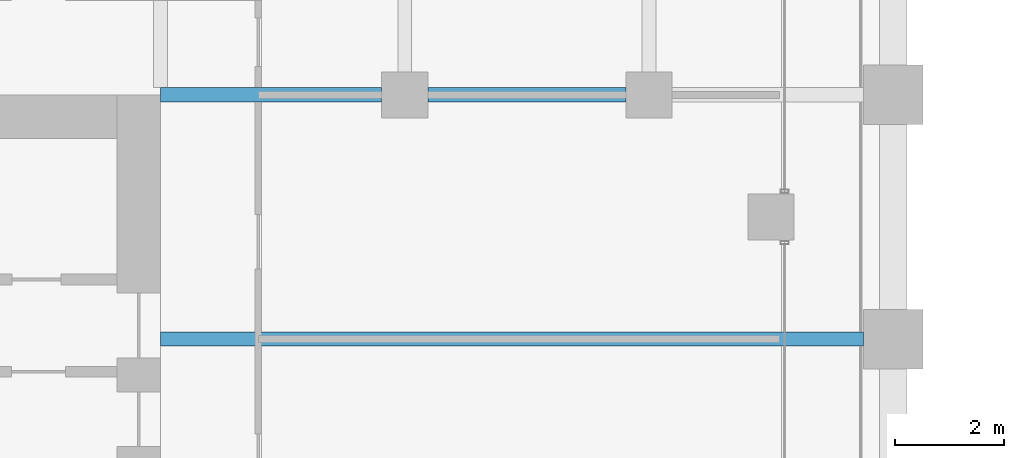
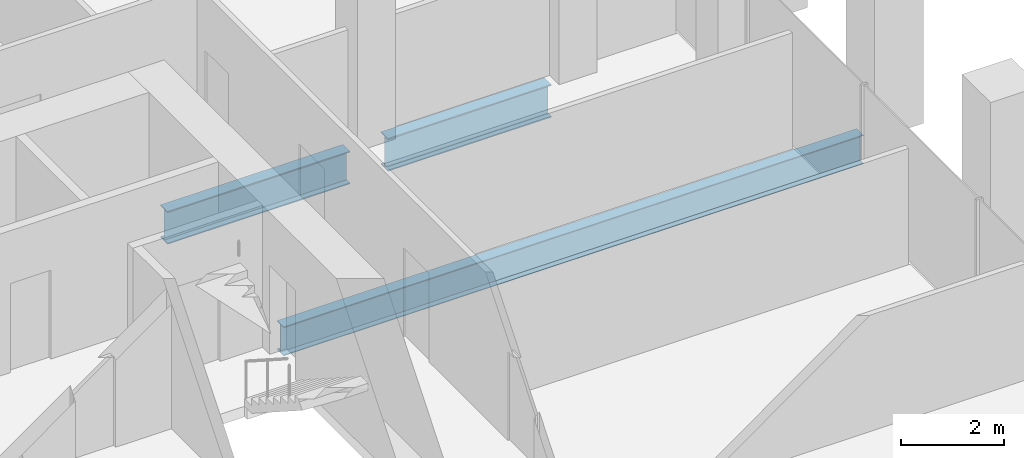
# One storey, part 21 of 56: 3 beams.
"""IFC4 building model written with IfcOpenShell, lengths in metres."""

from ifc_helpers import new_model, si_unit, direction, frame, origin, origin_2d, place, context, subcontext, project, spatial, i_section, extrude, material, material_profile, profile_set, type_object, element, save


model = new_model("IFC4")

# Units and contexts
model_context = context("Model", 3, precision=1e-05, world=origin(), true_north=direction((0.0, 1.0)))
body_context = subcontext(model_context, "Body", "Model", "MODEL_VIEW")
ifc_project = project(units=[si_unit("LENGTHUNIT", "METRE"), si_unit("AREAUNIT", "SQUARE_METRE"), si_unit("VOLUMEUNIT", "CUBIC_METRE"), si_unit("PLANEANGLEUNIT", "RADIAN"), si_unit("MASSUNIT", "GRAM", prefix="KILO")], contexts=[model_context])

# Site, building, storey
site_placement = place(None, origin())
site = spatial("IfcSite", under=ifc_project, at=site_placement, CompositionType="ELEMENT")
building_placement = place(site_placement, origin())
building = spatial("IfcBuilding", under=site, at=building_placement, Name="Altepetl Exchange Towers", CompositionType="ELEMENT")
storey_placement = place(building_placement, frame((0.0, 0.0, 72.60009765625)))
storey = spatial("IfcBuildingStorey", under=building, at=storey_placement, Name="L17", CompositionType="ELEMENT", Elevation=72.60009765625)

# Beams
ifc_material = material(Name="Steel S355", Category="steel")
ifc_material_profile_1 = material_profile(ifc_material, i_section(OverallWidth=0.25390625, OverallDepth=0.68408203125, WebThickness=0.012451171875, FlangeThickness=0.018798828125, at=origin_2d()), Name="W27X94")
ifc_profile_set_1 = profile_set([ifc_material_profile_1], Name="Steel S355")
beam_type_1 = type_object("IfcBeamType", Name="Floor beam W27X94", PredefinedType="BEAM", material=ifc_profile_set_1)
beam_1_placement = place(storey_placement, frame((58.5, 54.0, -0.4921875), z_axis=(1.0, 0.0, 0.0), x_axis=(0.0, 1.0, 0.0)))
element("IfcBeam", 1, at=beam_1_placement, inside=storey, type_object=beam_type_1, Name="bm:A:L17:011", PredefinedType="BEAM", context=body_context, shape_type="SweptSolid", body=[
    extrude(i_section(OverallWidth=0.25390625, OverallDepth=0.68408203125, WebThickness=0.012451171875, FlangeThickness=0.018798828125, at=origin_2d()), origin(), (0.0, 0.0, 1.0), 12.949951171875),
])
ifc_material_profile_2 = material_profile(ifc_material, i_section(OverallWidth=0.26806640625, OverallDepth=0.77392578125, WebThickness=0.015380859375, FlangeThickness=0.025390625, at=origin_2d()), Name="W30X132")
ifc_profile_set_2 = profile_set([ifc_material_profile_2], Name="Steel S355")
beam_type_2 = type_object("IfcBeamType", Name="Girder W30X132", PredefinedType="BEAM", material=ifc_profile_set_2)
beam_2_placement = place(storey_placement, frame((58.5, 58.5, -0.537109375), z_axis=(1.0, 0.0, 0.0), x_axis=(0.0, 1.0, 0.0)))
element("IfcBeam", 2, at=beam_2_placement, inside=storey, type_object=beam_type_2, Name="gd:A:L17:000", PredefinedType="BEAM", context=body_context, shape_type="SweptSolid", body=[
    extrude(i_section(OverallWidth=0.26806640625, OverallDepth=0.77392578125, WebThickness=0.015380859375, FlangeThickness=0.025390625, at=origin_2d()), origin(), (0.0, 0.0, 1.0), 4.074951171875),
])
beam_3_placement = place(storey_placement, frame((63.425048828125, 58.5, -0.537109375), z_axis=(1.0, 0.0, 0.0), x_axis=(0.0, 1.0, 0.0)))
element("IfcBeam", 3, at=beam_3_placement, inside=storey, type_object=beam_type_2, Name="gd:A:L17:001", PredefinedType="BEAM", context=body_context, shape_type="SweptSolid", body=[
    extrude(i_section(OverallWidth=0.26806640625, OverallDepth=0.77392578125, WebThickness=0.015380859375, FlangeThickness=0.025390625, at=origin_2d()), origin(), (0.0, 0.0, 1.0), 3.64990234375),
])

save(model, "model.ifc")
